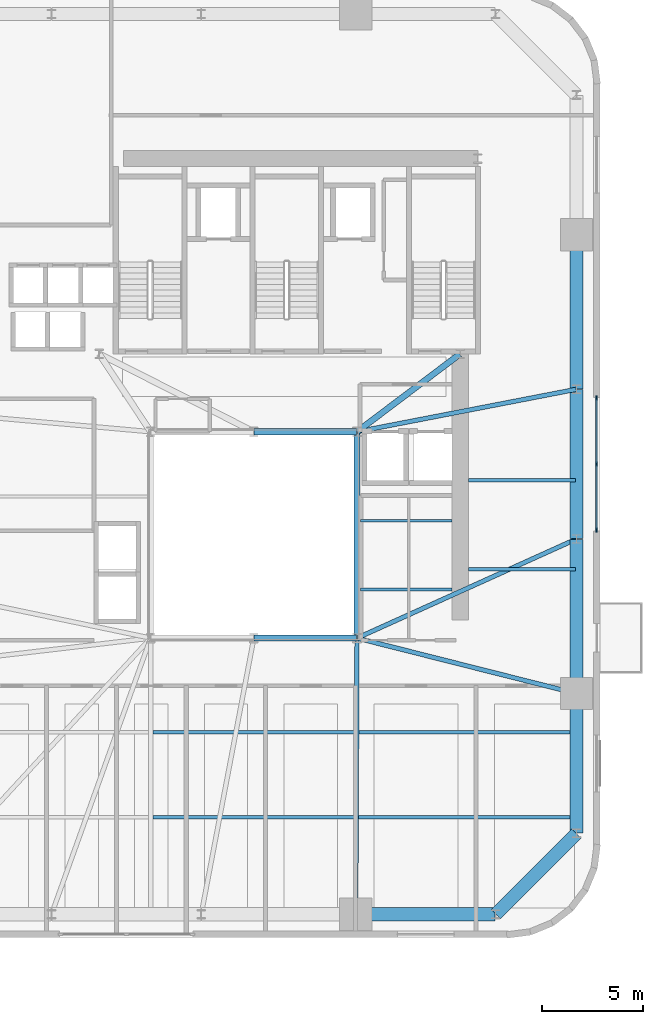
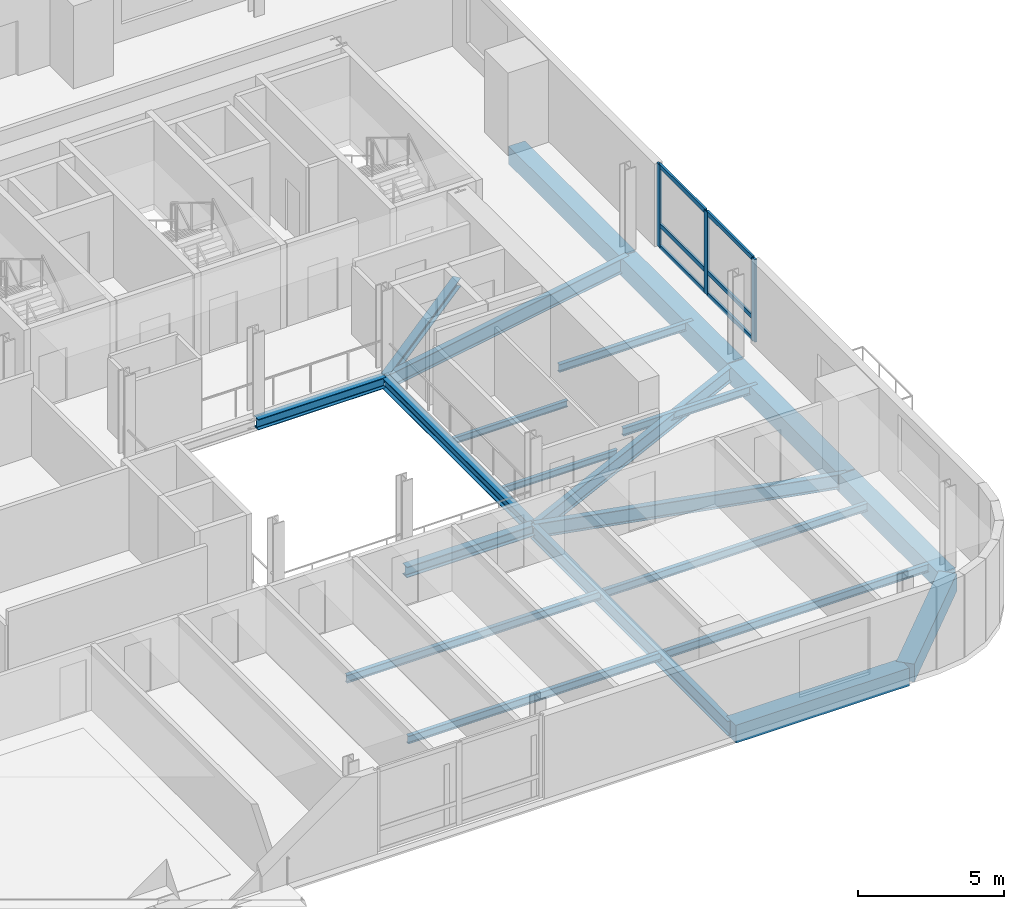
# One storey, part 3 of 14: 20 beams, 9 members, 1 element without a shape of its own.
"""IFC4 building model written with IfcOpenShell, lengths in metres."""

from ifc_helpers import new_model, si_unit, direction, frame, origin, origin_2d, place, context, subcontext, project, spatial, rectangle, i_section, extrude, source, transform, mapped, material, material_profile, profile_set, type_object, element, aggregate, save


model = new_model("IFC4")

# Units and contexts
model_context = context("Model", 3, precision=1e-05, world=origin(), true_north=direction((0.0, 1.0)))
body_context = subcontext(model_context, "Body", "Model", "MODEL_VIEW")
ifc_project = project(units=[si_unit("LENGTHUNIT", "METRE"), si_unit("AREAUNIT", "SQUARE_METRE"), si_unit("VOLUMEUNIT", "CUBIC_METRE"), si_unit("PLANEANGLEUNIT", "RADIAN"), si_unit("MASSUNIT", "GRAM", prefix="KILO")], contexts=[model_context])

# Site, building, storey
site_placement = place(None, origin())
site = spatial("IfcSite", under=ifc_project, at=site_placement, CompositionType="ELEMENT")
building_placement = place(site_placement, origin())
building = spatial("IfcBuilding", under=site, at=building_placement, Name="Vardaveli Station Tower", CompositionType="ELEMENT")
storey_placement = place(building_placement, frame((0.0, 0.0, 133.5)))
storey = spatial("IfcBuildingStorey", under=building, at=storey_placement, Name="L34", CompositionType="ELEMENT", Elevation=133.5)

# Beams
ifc_material_1 = material(Name="Structural steel S355J2", Category="steel")
ifc_material_profile_1 = material_profile(ifc_material_1, i_section(OverallWidth=0.300048828125, OverallDepth=0.449951171875, WebThickness=0.013916015625, FlangeThickness=0.02587890625, FilletRadius=0.027099609375, at=origin_2d()), Name="HEB 450")
ifc_profile_set_1 = profile_set([ifc_material_profile_1], Name="Structural steel S355J2")
beam_type_1 = type_object("IfcBeamType", Name="BM-HEB450", PredefinedType="BEAM", material=ifc_profile_set_1)
shared_shape_1 = source(origin(), body_context, "Body", "SweptSolid", [
    extrude(i_section(OverallWidth=0.300048828125, OverallDepth=0.449951171875, WebThickness=0.013916015625, FlangeThickness=0.02587890625, FilletRadius=0.027099609375, at=origin_2d()), origin(), (0.0, 0.0, 1.0), 5.059814453125),
])
for number, where, z_axis, x_axis, name in (
    (1, (36.320068359375, 16.60009765625, -0.465087890625), (1.0, 0.0, 0.0), (0.0, 1.0, 0.0), "ABM-L34-02"),
    (2, (41.3798828125, 26.800048828125, -0.465087890625), (-1.0, 0.0, 0.0), (0.0, -1.0, 0.0), "ABM-L34-04"),
):
    element("IfcBeam", number, at=place(storey_placement, frame(where, z_axis=z_axis, x_axis=x_axis)), inside=storey, type_object=beam_type_1, Name=name, PredefinedType="BEAM", context=body_context, shape_type="MappedRepresentation", body=[
        mapped(shared_shape_1, transform((0.0, 0.0, 0.0), scale=1.0)),
    ])
shared_shape_2 = source(origin(), body_context, "Body", "SweptSolid", [
    extrude(i_section(OverallWidth=0.300048828125, OverallDepth=0.449951171875, WebThickness=0.013916015625, FlangeThickness=0.02587890625, FilletRadius=0.027099609375, at=origin_2d()), origin(), (0.0, 0.0, 1.0), 10.159912109375),
])
beam_1_placement = place(storey_placement, frame((41.39990234375, 16.6201171875, -0.465087890625), z_axis=(0.0, 1.0, 0.0), x_axis=(-1.0, 0.0, 0.0)))
element("IfcBeam", 3, at=beam_1_placement, inside=storey, type_object=beam_type_1, Name="ABM-L34-03", PredefinedType="BEAM", context=body_context, shape_type="MappedRepresentation", body=[
    mapped(shared_shape_2, transform((0.0, 0.0, 0.0), scale=1.0)),
])
ifc_material_profile_2 = material_profile(ifc_material_1, i_section(OverallWidth=0.300048828125, OverallDepth=0.360107421875, WebThickness=0.012451171875, FlangeThickness=0.0224609375, FilletRadius=0.027099609375, at=origin_2d()), Name="HEB 360")
ifc_profile_set_2 = profile_set([ifc_material_profile_2], Name="Structural steel S355J2")
beam_type_2 = type_object("IfcBeamType", Name="BM-HEB360", PredefinedType="BEAM", material=ifc_profile_set_2)
shared_shape_3 = source(origin(), body_context, "Body", "SweptSolid", [
    extrude(i_section(OverallWidth=0.300048828125, OverallDepth=0.360107421875, WebThickness=0.012451171875, FlangeThickness=0.0224609375, FilletRadius=0.027099609375, at=origin_2d()), origin(), (0.0, 0.0, 1.0), 6.35009765625),
])
beam_2_placement = place(storey_placement, frame((41.416015625, 26.81201171875, -0.419921875), z_axis=(0.798118337722, 0.602500721154, 0.0), x_axis=(-0.602500721154, 0.798118337722, 0.0)))
element("IfcBeam", 4, at=beam_2_placement, inside=storey, type_object=beam_type_2, Name="CBM-L34-02", PredefinedType="BEAM", context=body_context, shape_type="MappedRepresentation", body=[
    mapped(shared_shape_3, transform((0.0, 0.0, 0.0), scale=1.0)),
])
ifc_material_2 = material(Name="Precast concrete C45/55", Category="concrete")
ifc_material_profile_3 = material_profile(ifc_material_2, rectangle(XDim=0.64990234375, YDim=0.75, at=origin_2d()), Name="LPB 650x750")
ifc_profile_set_3 = profile_set([ifc_material_profile_3], Name="Precast concrete C45/55")
beam_type_3 = type_object("IfcBeamType", Name="BM-LPB-750", PredefinedType="BEAM", material=ifc_profile_set_3)
shared_shape_4 = source(origin(), body_context, "Body", "SweptSolid", [
    extrude(rectangle(XDim=0.64990234375, YDim=0.75, at=origin_2d()), origin(), (0.0, 0.0, 1.0), 7.60009765625),
])
for number, where, z_axis, x_axis, name in (
    (5, (52.25, 13.8798828125, -0.614990234375), (0.0, 1.0, 0.0), (-1.0, 0.0, 0.0), "RBM-L34-07"),
    (6, (52.25, 28.919921875, -0.614990234375), (0.0, 1.0, 0.0), (-1.0, 0.0, 0.0), "RBM-L34-09"),
):
    element("IfcBeam", number, at=place(storey_placement, frame(where, z_axis=z_axis, x_axis=x_axis)), inside=storey, type_object=beam_type_3, Name=name, PredefinedType="BEAM", context=body_context, shape_type="MappedRepresentation", body=[
        mapped(shared_shape_4, transform((0.0, 0.0, 0.0), scale=1.0)),
    ])
shared_shape_5 = source(origin(), body_context, "Body", "SweptSolid", [
    extrude(rectangle(XDim=0.64990234375, YDim=0.75, at=origin_2d()), origin(), (0.0, 0.0, 1.0), 7.35986328125),
])
beam_3_placement = place(storey_placement, frame((52.25, 21.52001953125, -0.614990234375), z_axis=(0.0, 1.0, 0.0), x_axis=(-1.0, 0.0, 0.0)))
element("IfcBeam", 7, at=beam_3_placement, inside=storey, type_object=beam_type_3, Name="RBM-L34-08", PredefinedType="BEAM", context=body_context, shape_type="MappedRepresentation", body=[
    mapped(shared_shape_5, transform((0.0, 0.0, 0.0), scale=1.0)),
])
shared_shape_6 = source(origin(), body_context, "Body", "SweptSolid", [
    extrude(rectangle(XDim=0.64990234375, YDim=0.75, at=origin_2d()), origin(), (0.0, 0.0, 1.0), 6.869873046875),
])
beam_4_placement = place(storey_placement, frame((41.360107421875, 2.949951171875, -0.614990234375), z_axis=(1.0, 0.0, 0.0), x_axis=(0.0, 1.0, 0.0)))
element("IfcBeam", 8, at=beam_4_placement, inside=storey, type_object=beam_type_3, Name="RBM-L34-04", PredefinedType="BEAM", context=body_context, shape_type="MappedRepresentation", body=[
    mapped(shared_shape_6, transform((0.0, 0.0, 0.0), scale=1.0)),
])
shared_shape_7 = source(origin(), body_context, "Body", "SweptSolid", [
    extrude(rectangle(XDim=0.64990234375, YDim=0.75, at=origin_2d()), origin(), (0.0, 0.0, 1.0), 5.61669921875),
])
beam_5_placement = place(storey_placement, frame((48.26416015625, 2.964111328125, -0.614990234375), z_axis=(0.707106781187, 0.707106781187, 0.0), x_axis=(-0.707106781187, 0.707106781187, 0.0)))
element("IfcBeam", 9, at=beam_5_placement, inside=storey, type_object=beam_type_3, Name="RBM-L34-05", PredefinedType="BEAM", context=body_context, shape_type="MappedRepresentation", body=[
    mapped(shared_shape_7, transform((0.0, 0.0, 0.0), scale=1.0)),
])
shared_shape_8 = source(origin(), body_context, "Body", "SweptSolid", [
    extrude(rectangle(XDim=0.64990234375, YDim=0.75, at=origin_2d()), origin(), (0.0, 0.0, 1.0), 6.8701171875),
])
beam_6_placement = place(storey_placement, frame((52.25, 6.969970703125, -0.614990234375), z_axis=(0.0, 1.0, 0.0), x_axis=(-1.0, 0.0, 0.0)))
element("IfcBeam", 10, at=beam_6_placement, inside=storey, type_object=beam_type_3, Name="RBM-L34-06", PredefinedType="BEAM", context=body_context, shape_type="MappedRepresentation", body=[
    mapped(shared_shape_8, transform((0.0, 0.0, 0.0), scale=1.0)),
])
ifc_material_profile_4 = material_profile(ifc_material_1, i_section(OverallWidth=0.159912109375, OverallDepth=0.330078125, WebThickness=0.007568359375, FlangeThickness=0.011474609375, FilletRadius=0.01806640625, at=origin_2d()), Name="IPE 330")
ifc_profile_set_4 = profile_set([ifc_material_profile_4], Name="Structural steel S355J2")
beam_type_4 = type_object("IfcBeamType", Name="BM-IPE330", PredefinedType="JOIST", material=ifc_profile_set_4)
shared_shape_9 = source(origin(), body_context, "Body", "SweptSolid", [
    extrude(i_section(OverallWidth=0.159912109375, OverallDepth=0.330078125, WebThickness=0.007568359375, FlangeThickness=0.011474609375, FilletRadius=0.01806640625, at=origin_2d()), origin(), (0.0, 0.0, 1.0), 20.89794921875),
])
for number, where, z_axis, x_axis, name in (
    (11, (31.31201171875, 7.75, -0.405029296875), (1.0, 0.0, 0.0), (0.0, 1.0, 0.0), "SJ-L34-S02"),
    (12, (31.31201171875, 11.949951171875, -0.405029296875), (1.0, 0.0, 0.0), (0.0, 1.0, 0.0), "SJ-L34-S04"),
):
    element("IfcBeam", number, at=place(storey_placement, frame(where, z_axis=z_axis, x_axis=x_axis)), inside=storey, type_object=beam_type_4, Name=name, PredefinedType="JOIST", context=body_context, shape_type="MappedRepresentation", body=[
        mapped(shared_shape_9, transform((0.0, 0.0, 0.0), scale=1.0)),
    ])
shared_shape_10 = source(origin(), body_context, "Body", "SweptSolid", [
    extrude(i_section(OverallWidth=0.159912109375, OverallDepth=0.330078125, WebThickness=0.007568359375, FlangeThickness=0.011474609375, FilletRadius=0.01806640625, at=origin_2d()), origin(), (0.0, 0.0, 1.0), 5.304931640625),
])
for number, where, z_axis, x_axis, name in (
    (13, (46.905029296875, 20.0, -0.405029296875), (1.0, 0.0, 0.0), (0.0, 1.0, 0.0), "SJ-L34-E07"),
    (14, (46.905029296875, 24.39990234375, -0.405029296875), (1.0, 0.0, 0.0), (0.0, 1.0, 0.0), "SJ-L34-E08"),
):
    element("IfcBeam", number, at=place(storey_placement, frame(where, z_axis=z_axis, x_axis=x_axis)), inside=storey, type_object=beam_type_4, Name=name, PredefinedType="JOIST", context=body_context, shape_type="MappedRepresentation", body=[
        mapped(shared_shape_10, transform((0.0, 0.0, 0.0), scale=1.0)),
    ])
ifc_material_profile_5 = material_profile(ifc_material_1, i_section(OverallWidth=0.135009765625, OverallDepth=0.27001953125, WebThickness=0.006591796875, FlangeThickness=0.01025390625, FilletRadius=0.014892578125, at=origin_2d()), Name="IPE 270")
ifc_profile_set_5 = profile_set([ifc_material_profile_5], Name="Structural steel S355J2")
beam_type_5 = type_object("IfcBeamType", Name="BM-IPE270", PredefinedType="BEAM", material=ifc_profile_set_5)
shared_shape_11 = source(origin(), body_context, "Body", "SweptSolid", [
    extrude(i_section(OverallWidth=0.135009765625, OverallDepth=0.27001953125, WebThickness=0.006591796875, FlangeThickness=0.01025390625, FilletRadius=0.014892578125, at=origin_2d()), origin(), (0.0, 0.0, 1.0), 4.530029296875),
])
for number, where, z_axis, x_axis, name in (
    (15, (41.56494140625, 19.0, -0.375), (1.0, 0.0, 0.0), (0.0, 1.0, 0.0), "TJ-L34-01"),
    (16, (41.56494140625, 22.39990234375, -0.375), (1.0, 0.0, 0.0), (0.0, 1.0, 0.0), "TJ-L34-02"),
):
    element("IfcBeam", number, at=place(storey_placement, frame(where, z_axis=z_axis, x_axis=x_axis)), inside=storey, type_object=beam_type_5, Name=name, PredefinedType="BEAM", context=body_context, shape_type="MappedRepresentation", body=[
        mapped(shared_shape_11, transform((0.0, 0.0, 0.0), scale=1.0)),
    ])
ifc_material_profile_6 = material_profile(ifc_material_1, i_section(OverallWidth=0.219970703125, OverallDepth=0.60009765625, WebThickness=0.011962890625, FlangeThickness=0.01904296875, FilletRadius=0.02392578125, at=origin_2d()), Name="IPE 600")
ifc_profile_set_6 = profile_set([ifc_material_profile_6], Name="Structural steel S355J2")
beam_type_6 = type_object("IfcBeamType", Name="BM-IPE600", PredefinedType="BEAM", material=ifc_profile_set_6)
shared_shape_12 = source(origin(), body_context, "Body", "SweptSolid", [
    extrude(i_section(OverallWidth=0.219970703125, OverallDepth=0.60009765625, WebThickness=0.011962890625, FlangeThickness=0.01904296875, FilletRadius=0.02392578125, at=origin_2d()), origin(), (0.0, 0.0, 1.0), 13.6103515625),
])
beam_7_placement = place(storey_placement, frame((41.340087890625, 2.969970703125, -0.5400390625), z_axis=(0.004394812886, 0.999990342763, 0.0), x_axis=(-0.999990342763, 0.004394812886, 0.0)))
element("IfcBeam", 17, at=beam_7_placement, inside=storey, type_object=beam_type_6, Name="GBM-L34-04", PredefinedType="BEAM", context=body_context, shape_type="MappedRepresentation", body=[
    mapped(shared_shape_12, transform((0.0, 0.0, 0.0), scale=1.0)),
])
shared_shape_13 = source(origin(), body_context, "Body", "SweptSolid", [
    extrude(i_section(OverallWidth=0.219970703125, OverallDepth=0.60009765625, WebThickness=0.011962890625, FlangeThickness=0.01904296875, FilletRadius=0.02392578125, at=origin_2d()), origin(), (0.0, 0.0, 1.0), 11.150634765625),
])
beam_8_placement = place(storey_placement, frame((52.230712890625, 13.864990234375, -0.5400390625), z_axis=(-0.969561465826, 0.244848042642, 0.0), x_axis=(-0.244848042642, -0.969561465826, 0.0)))
element("IfcBeam", 18, at=beam_8_placement, inside=storey, type_object=beam_type_6, Name="GBM-L34-05", PredefinedType="BEAM", context=body_context, shape_type="MappedRepresentation", body=[
    mapped(shared_shape_13, transform((0.0, 0.0, 0.0), scale=1.0)),
])
shared_shape_14 = source(origin(), body_context, "Body", "SweptSolid", [
    extrude(i_section(OverallWidth=0.219970703125, OverallDepth=0.60009765625, WebThickness=0.011962890625, FlangeThickness=0.01904296875, FilletRadius=0.02392578125, at=origin_2d()), origin(), (0.0, 0.0, 1.0), 11.864990234375),
])
beam_9_placement = place(storey_placement, frame((52.231689453125, 21.49169921875, -0.5400390625), z_axis=(-0.911369354756, -0.411589478985, 0.0), x_axis=(0.411589478985, -0.911369354756, 0.0)))
element("IfcBeam", 19, at=beam_9_placement, inside=storey, type_object=beam_type_6, Name="GBM-L34-06", PredefinedType="BEAM", context=body_context, shape_type="MappedRepresentation", body=[
    mapped(shared_shape_14, transform((0.0, 0.0, 0.0), scale=1.0)),
])
shared_shape_15 = source(origin(), body_context, "Body", "SweptSolid", [
    extrude(i_section(OverallWidth=0.219970703125, OverallDepth=0.60009765625, WebThickness=0.011962890625, FlangeThickness=0.01904296875, FilletRadius=0.02392578125, at=origin_2d()), origin(), (0.0, 0.0, 1.0), 11.011474609375),
])
beam_10_placement = place(storey_placement, frame((52.23046875, 28.896240234375, -0.5400390625), z_axis=(-0.981777849093, -0.190032247343, 0.0), x_axis=(0.190032247343, -0.981777849093, 0.0)))
element("IfcBeam", 20, at=beam_10_placement, inside=storey, type_object=beam_type_6, Name="GBM-L34-07", PredefinedType="BEAM", context=body_context, shape_type="MappedRepresentation", body=[
    mapped(shared_shape_15, transform((0.0, 0.0, 0.0), scale=1.0)),
])

# Curtain wall, members
ifc_material_3 = material(Name="Travertine stone and solar-control glass", Category="masonry")
curtain_wall_type = type_object("IfcCurtainWallType", Name="CW-SYS-2", PredefinedType="NOTDEFINED", material=ifc_material_3)
curtain_wall_placement = place(storey_placement, origin())
curtain_wall = element("IfcCurtainWall", 21, at=curtain_wall_placement, inside=storey, type_object=curtain_wall_type, Name="CW-L34-E", PredefinedType="NOTDEFINED")
ifc_material_4 = material(Name="Anodised aluminium alloy 6063-T6", Category="aluminium")
ifc_material_profile_7 = material_profile(ifc_material_4, rectangle(XDim=0.0849609375, YDim=0.179931640625, at=origin_2d()), Name="CWT 85x180")
ifc_profile_set_7 = profile_set([ifc_material_profile_7], Name="Anodised aluminium alloy 6063-T6")
member_type_1 = type_object("IfcMemberType", Name="CW-SYS-2-TRAN", PredefinedType="NOTDEFINED", material=ifc_profile_set_7)
shared_shape_16 = source(origin(), body_context, "Body", "SweptSolid", [
    extrude(rectangle(XDim=0.0849609375, YDim=0.179931640625, at=origin_2d()), origin(), (0.0, 0.0, 1.0), 3.172607421875),
])
member_1_placement = place(storey_placement, frame((53.239990234375, 25.242431640625, 0.04248046875), z_axis=(0.0, 1.0, 0.0), x_axis=(-1.0, 0.0, 0.0)))
member_1 = element("IfcMember", 22, at=member_1_placement, type_object=member_type_1, Name="CW-2 transom 2.1", ObjectType="TRANSOM", PredefinedType="USERDEFINED", context=body_context, shape_type="MappedRepresentation", body=[
    mapped(shared_shape_16, transform((0.0, 0.0, 0.0), scale=1.0)),
])
member_2_placement = place(storey_placement, frame((53.239990234375, 25.242431640625, 0.949951171875), z_axis=(0.0, 1.0, 0.0), x_axis=(-1.0, 0.0, 0.0)))
member_2 = element("IfcMember", 23, at=member_2_placement, type_object=member_type_1, Name="CW-2 transom 2.2", ObjectType="TRANSOM", PredefinedType="USERDEFINED", context=body_context, shape_type="MappedRepresentation", body=[
    mapped(shared_shape_16, transform((0.0, 0.0, 0.0), scale=1.0)),
])
member_3_placement = place(storey_placement, frame((53.239990234375, 25.242431640625, 3.41748046875), z_axis=(0.0, 1.0, 0.0), x_axis=(-1.0, 0.0, 0.0)))
member_3 = element("IfcMember", 24, at=member_3_placement, type_object=member_type_1, Name="CW-2 transom 2.3", ObjectType="TRANSOM", PredefinedType="USERDEFINED", context=body_context, shape_type="MappedRepresentation", body=[
    mapped(shared_shape_16, transform((0.0, 0.0, 0.0), scale=1.0)),
])
shared_shape_17 = source(origin(), body_context, "Body", "SweptSolid", [
    extrude(rectangle(XDim=0.0849609375, YDim=0.179931640625, at=origin_2d()), origin(), (0.0, 0.0, 1.0), 3.17236328125),
])
member_4_placement = place(storey_placement, frame((53.239990234375, 21.985107421875, 0.04248046875), z_axis=(0.0, 1.0, 0.0), x_axis=(-1.0, 0.0, 0.0)))
member_4 = element("IfcMember", 25, at=member_4_placement, type_object=member_type_1, Name="CW-2 transom 1.1", ObjectType="TRANSOM", PredefinedType="USERDEFINED", context=body_context, shape_type="MappedRepresentation", body=[
    mapped(shared_shape_17, transform((0.0, 0.0, 0.0), scale=1.0)),
])
member_5_placement = place(storey_placement, frame((53.239990234375, 21.985107421875, 0.949951171875), z_axis=(0.0, 1.0, 0.0), x_axis=(-1.0, 0.0, 0.0)))
member_5 = element("IfcMember", 26, at=member_5_placement, type_object=member_type_1, Name="CW-2 transom 1.2", ObjectType="TRANSOM", PredefinedType="USERDEFINED", context=body_context, shape_type="MappedRepresentation", body=[
    mapped(shared_shape_17, transform((0.0, 0.0, 0.0), scale=1.0)),
])
member_6_placement = place(storey_placement, frame((53.239990234375, 21.985107421875, 3.41748046875), z_axis=(0.0, 1.0, 0.0), x_axis=(-1.0, 0.0, 0.0)))
member_6 = element("IfcMember", 27, at=member_6_placement, type_object=member_type_1, Name="CW-2 transom 1.3", ObjectType="TRANSOM", PredefinedType="USERDEFINED", context=body_context, shape_type="MappedRepresentation", body=[
    mapped(shared_shape_17, transform((0.0, 0.0, 0.0), scale=1.0)),
])
ifc_material_profile_8 = material_profile(ifc_material_4, rectangle(XDim=0.0849609375, YDim=0.219970703125, at=origin_2d()), Name="CWM 85x220")
ifc_profile_set_8 = profile_set([ifc_material_profile_8], Name="Anodised aluminium alloy 6063-T6")
member_type_2 = type_object("IfcMemberType", Name="CW-SYS-2-MULL", PredefinedType="MULLION", material=ifc_profile_set_8)
shared_shape_18 = source(origin(), body_context, "Body", "SweptSolid", [
    extrude(rectangle(XDim=0.0849609375, YDim=0.219970703125, at=origin_2d()), origin(), (0.0, 0.0, 1.0), 3.4599609375),
])
member_7_placement = place(storey_placement, frame((53.239990234375, 21.9423828125, 0.0), z_axis=(0.0, 0.0, 1.0), x_axis=(-1.0, 0.0, 0.0)))
member_7 = element("IfcMember", 28, at=member_7_placement, type_object=member_type_2, Name="CW-2 mullion 1", PredefinedType="MULLION", context=body_context, shape_type="MappedRepresentation", body=[
    mapped(shared_shape_18, transform((0.0, 0.0, 0.0), scale=1.0)),
])
member_8_placement = place(storey_placement, frame((53.239990234375, 25.199951171875, 0.0), z_axis=(0.0, 0.0, 1.0), x_axis=(-1.0, 0.0, 0.0)))
member_8 = element("IfcMember", 29, at=member_8_placement, type_object=member_type_2, Name="CW-2 mullion 2", PredefinedType="MULLION", context=body_context, shape_type="MappedRepresentation", body=[
    mapped(shared_shape_18, transform((0.0, 0.0, 0.0), scale=1.0)),
])
member_9_placement = place(storey_placement, frame((53.239990234375, 28.45751953125, 0.0), z_axis=(0.0, 0.0, 1.0), x_axis=(-1.0, 0.0, 0.0)))
member_9 = element("IfcMember", 30, at=member_9_placement, type_object=member_type_2, Name="CW-2 mullion 3", PredefinedType="MULLION", context=body_context, shape_type="MappedRepresentation", body=[
    mapped(shared_shape_18, transform((0.0, 0.0, 0.0), scale=1.0)),
])
aggregate(curtain_wall, [member_7, member_8, member_9, member_4, member_5, member_6, member_1, member_2, member_3])

save(model, "model.ifc")
